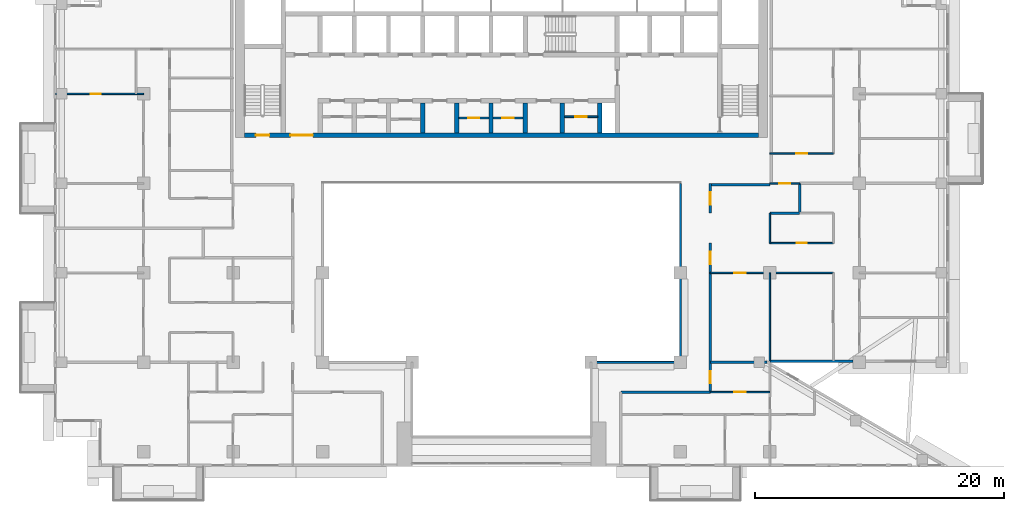
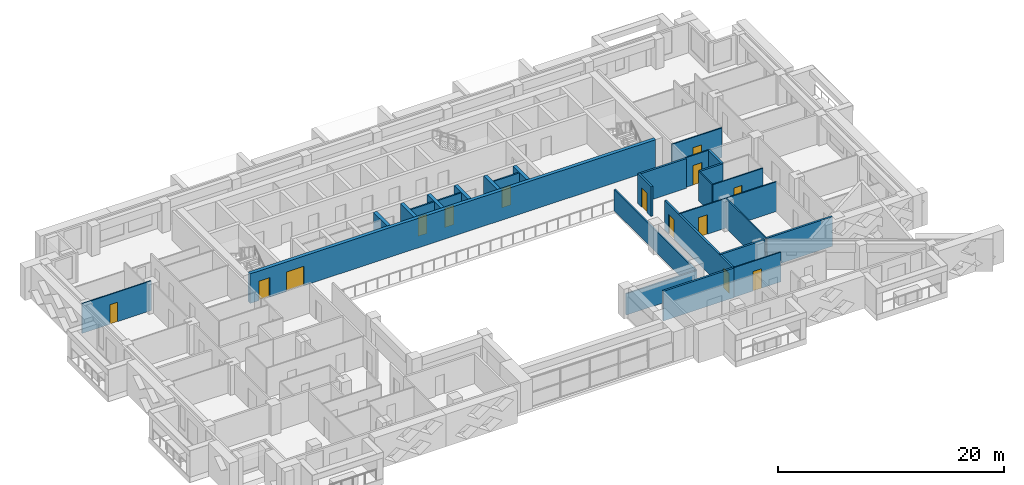
# One storey, part 9 of 20: 28 walls, 14 doors, 14 openings.
"""IFC4 building model written with IfcOpenShell, lengths in metres."""

from ifc_helpers import new_model, si_unit, direction, frame, frame_2d, origin, place, context, subcontext, project, spatial, rectangle, extrude, material, layer, layer_set, type_object, element, fill, save


model = new_model("IFC4")

# Units and contexts
model_context = context("Model", 3, precision=1e-05, world=origin(), true_north=direction((0.0, 1.0)))
body_context = subcontext(model_context, "Body", "Model", "MODEL_VIEW")
ifc_project = project(units=[si_unit("LENGTHUNIT", "METRE"), si_unit("AREAUNIT", "SQUARE_METRE"), si_unit("VOLUMEUNIT", "CUBIC_METRE"), si_unit("PLANEANGLEUNIT", "RADIAN"), si_unit("MASSUNIT", "GRAM", prefix="KILO")], contexts=[model_context])

# Site, building, storey
site_placement = place(None, origin())
site = spatial("IfcSite", under=ifc_project, at=site_placement, CompositionType="ELEMENT")
building_placement = place(site_placement, origin())
building = spatial("IfcBuilding", under=site, at=building_placement, Name="Saffron Iwan Residences", CompositionType="ELEMENT")
storey_placement = place(building_placement, frame((0.0, 0.0, 157.0)))
storey = spatial("IfcBuildingStorey", under=building, at=storey_placement, Name="L41", CompositionType="ELEMENT", Elevation=157.0)

# Walls
ifc_material_1 = material(Name="Fire-rated glazing", Category="glass")
ifc_layer_1 = layer(ifc_material_1, 0.14990234375)
ifc_layer_set_1 = layer_set([ifc_layer_1], Name="Fire-rated glazing")
wall_type_1 = type_object("IfcWallType", Name="Atrium glazed screen 150", PredefinedType="SOLIDWALL", material=ifc_layer_set_1)
wall_1_placement = place(storey_placement, frame((57.60009765625, 48.0, 0.0), z_axis=(0.0, 0.0, 1.0), x_axis=(1.0, 0.0, 0.0)))
element("IfcWall", 1, at=wall_1_placement, inside=storey, type_object=wall_type_1, Name="W-L41-SCREEN-h48-57.6", PredefinedType="SOLIDWALL", context=body_context, shape_type="SweptSolid", body=[
    extrude(rectangle(XDim=7.199951171875, YDim=0.14990234375, at=frame_2d((3.60009765625, 0.0))), origin(), (0.0, 0.0, 1.0), 2.300048828125),
])
wall_2_placement = place(storey_placement, frame((64.800048828125, 48.0, 0.0), z_axis=(0.0, 0.0, 1.0), x_axis=(0.0, 1.0, 0.0)))
element("IfcWall", 2, at=wall_2_placement, inside=storey, type_object=wall_type_1, Name="W-L41-SCREEN-v64.8-48", PredefinedType="SOLIDWALL", context=body_context, shape_type="SweptSolid", body=[
    extrude(rectangle(XDim=14.39990234375, YDim=0.14990234375, at=frame_2d((7.199951171875, 0.0))), origin(), (0.0, 0.0, 1.0), 2.300048828125),
])

# Wall, opening, door
ifc_material_2 = material(Name="Fire-rated plasterboard partition")
ifc_layer_2 = layer(ifc_material_2, 0.14990234375)
ifc_layer_set_2 = layer_set([ifc_layer_2], Name="Fire-rated plasterboard partition")
wall_type_2 = type_object("IfcWallType", Name="Core partition 150", PredefinedType="PARTITIONING", material=ifc_layer_set_2)
wall_3_placement = place(storey_placement, frame((46.97509765625, 67.66259765625, 0.0), z_axis=(0.0, 0.0, 1.0), x_axis=(1.0, 0.0, 0.0)))
wall_3 = element("IfcWall", 3, at=wall_3_placement, inside=storey, type_object=wall_type_2, Name="Core partition P04", PredefinedType="PARTITIONING", context=body_context, shape_type="SweptSolid", body=[
    extrude(rectangle(XDim=2.39990234375, YDim=0.14990234375, at=frame_2d((1.199951171875, 0.0))), origin(), (0.0, 0.0, 1.0), 3.199951171875),
])
opening_1_placement = place(wall_3_placement, frame((0.75, 0.0, 0.0)))
opening_1 = element("IfcOpeningElement", 4, at=opening_1_placement, cuts=wall_3, Name="Opening SB", PredefinedType="OPENING", context=body_context, shape_type="SweptSolid", body=[
    extrude(rectangle(XDim=0.89990234375, YDim=2.10009765625, at=frame_2d((0.449951171875, 1.050048828125))), frame((0.0, 0.0849609375, 0.0), z_axis=(0.0, -1.0, 0.0), x_axis=(1.0, 0.0, 0.0)), (0.0, 0.0, 1.0), 0.169921875),
])
ifc_material_3 = material(Name="Steel fire door", Category="steel")
door_type_1 = type_object("IfcDoorType", Name="Store door 900", OperationType="NOTDEFINED", PredefinedType="DOOR", material=ifc_material_3)
door_1_placement = place(opening_1_placement, origin())
door_1 = element("IfcDoor", 5, at=door_1_placement, inside=storey, type_object=door_type_1, Name="Door Spares store", OperationType="SINGLE_SWING_RIGHT", OverallHeight=2.10009765625, OverallWidth=0.89990234375, PredefinedType="DOOR", context=body_context, shape_type="SweptSolid", body=[
    extrude(rectangle(XDim=0.89990234375, YDim=2.10009765625, at=frame_2d((0.449951171875, 1.050048828125))), frame((0.0, 0.02490234375, 0.0), z_axis=(0.0, -1.0, 0.0), x_axis=(1.0, 0.0, 0.0)), (0.0, 0.0, 1.0), 0.050048828125),
])
fill(opening_1, door_1)

wall_4_placement = place(storey_placement, frame((49.72509765625, 67.66259765625, 0.0), z_axis=(0.0, 0.0, 1.0), x_axis=(1.0, 0.0, 0.0)))
wall_4 = element("IfcWall", 6, at=wall_4_placement, inside=storey, type_object=wall_type_2, Name="Core partition P05", PredefinedType="PARTITIONING", context=body_context, shape_type="SweptSolid", body=[
    extrude(rectangle(XDim=2.39990234375, YDim=0.14990234375, at=frame_2d((1.199951171875, 0.0))), origin(), (0.0, 0.0, 1.0), 3.199951171875),
])
opening_2_placement = place(wall_4_placement, frame((0.75, 0.0, 0.0)))
opening_2 = element("IfcOpeningElement", 7, at=opening_2_placement, cuts=wall_4, Name="Opening SB", PredefinedType="OPENING", context=body_context, shape_type="SweptSolid", body=[
    extrude(rectangle(XDim=0.89990234375, YDim=2.10009765625, at=frame_2d((0.449951171875, 1.050048828125))), frame((0.0, 0.0849609375, 0.0), z_axis=(0.0, -1.0, 0.0), x_axis=(1.0, 0.0, 0.0)), (0.0, 0.0, 1.0), 0.169921875),
])
door_2_placement = place(opening_2_placement, origin())
door_2 = element("IfcDoor", 8, at=door_2_placement, inside=storey, type_object=door_type_1, Name="Door Battery room", OperationType="SINGLE_SWING_LEFT", OverallHeight=2.10009765625, OverallWidth=0.89990234375, PredefinedType="DOOR", context=body_context, shape_type="SweptSolid", body=[
    extrude(rectangle(XDim=0.89990234375, YDim=2.10009765625, at=frame_2d((0.449951171875, 1.050048828125))), frame((0.0, 0.02490234375, 0.0), z_axis=(0.0, -1.0, 0.0), x_axis=(1.0, 0.0, 0.0)), (0.0, 0.0, 1.0), 0.050048828125),
])
fill(opening_2, door_2)

wall_5_placement = place(storey_placement, frame((55.47509765625, 67.759521484375, 0.0), z_axis=(0.0, 0.0, 1.0), x_axis=(1.0, 0.0, 0.0)))
wall_5 = element("IfcWall", 9, at=wall_5_placement, inside=storey, type_object=wall_type_2, Name="Core partition P06", PredefinedType="PARTITIONING", context=body_context, shape_type="SweptSolid", body=[
    extrude(rectangle(XDim=2.64990234375, YDim=0.14990234375, at=frame_2d((1.324951171875, 0.0))), origin(), (0.0, 0.0, 1.0), 3.199951171875),
])
opening_3_placement = place(wall_5_placement, frame((0.875, 0.0, 0.0)))
opening_3 = element("IfcOpeningElement", 10, at=opening_3_placement, cuts=wall_5, Name="Opening SB", PredefinedType="OPENING", context=body_context, shape_type="SweptSolid", body=[
    extrude(rectangle(XDim=0.89990234375, YDim=2.10009765625, at=frame_2d((0.449951171875, 1.050048828125))), frame((0.0, 0.0849609375, 0.0), z_axis=(0.0, -1.0, 0.0), x_axis=(1.0, 0.0, 0.0)), (0.0, 0.0, 1.0), 0.169921875),
])
door_3_placement = place(opening_3_placement, origin())
door_3 = element("IfcDoor", 11, at=door_3_placement, inside=storey, type_object=door_type_1, Name="Door Equipment store", OperationType="SINGLE_SWING_LEFT", OverallHeight=2.10009765625, OverallWidth=0.89990234375, PredefinedType="DOOR", context=body_context, shape_type="SweptSolid", body=[
    extrude(rectangle(XDim=0.89990234375, YDim=2.10009765625, at=frame_2d((0.449951171875, 1.050048828125))), frame((0.0, 0.02490234375, 0.0), z_axis=(0.0, -1.0, 0.0), x_axis=(1.0, 0.0, 0.0)), (0.0, 0.0, 1.0), 0.050048828125),
])
fill(opening_3, door_3)

# Walls
ifc_material_4 = material(Name="Concrete C40/50", Category="concrete")
ifc_layer_3 = layer(ifc_material_4, 0.199951171875)
ifc_layer_set_3 = layer_set([ifc_layer_3], Name="Concrete C40/50")
wall_type_3 = type_object("IfcWallType", Name="EXTERNAL WALL 200", PredefinedType="SOLIDWALL", material=ifc_layer_set_3)
wall_6_placement = place(storey_placement, frame((71.989990234375, 48.10009765625, 0.0), z_axis=(0.0, 0.0, 1.0), x_axis=(1.0, 0.0, 0.0)))
element("IfcWall", 12, at=wall_6_placement, inside=storey, type_object=wall_type_3, Name="External wall L41 F1.0", PredefinedType="SOLIDWALL", context=body_context, shape_type="SweptSolid", body=[
    extrude(rectangle(XDim=6.7099609375, YDim=0.199951171875, at=frame_2d((3.35498046875, 0.0))), origin(), (0.0, 0.0, 1.0), 3.199951171875),
])
ifc_material_5 = material(Name="Fire-rated gypsum board wall")
ifc_layer_4 = layer(ifc_material_5, 0.199951171875)
ifc_layer_set_4 = layer_set([ifc_layer_4], Name="Fire-rated gypsum board wall")
wall_type_4 = type_object("IfcWallType", Name="Flat demising wall 200", PredefinedType="SOLIDWALL", material=ifc_layer_set_4)
wall_7_placement = place(storey_placement, frame((67.199951171875, 48.0, 0.0), z_axis=(0.0, 0.0, 1.0), x_axis=(1.0, 0.0, 0.0)))
element("IfcWall", 13, at=wall_7_placement, inside=storey, type_object=wall_type_4, Name="W-L41-DEMISE-h48-67.2", PredefinedType="SOLIDWALL", context=body_context, shape_type="SweptSolid", body=[
    extrude(rectangle(XDim=4.552001953125, YDim=0.199951171875, at=frame_2d((2.27587890625, 0.0))), origin(), (0.0, 0.0, 1.0), 3.199951171875),
])
for number, where, z_axis, x_axis, name in (
    (14, (72.0, 60.0, 0.0), (0.0, 0.0, 1.0), (1.0, 0.0, 0.0), "W-L41-DEMISE-h60-72"),
    (15, (74.39990234375, 60.0, 0.0), (0.0, 0.0, 1.0), (0.0, 1.0, 0.0), "W-L41-DEMISE-v74.4-60"),
):
    element("IfcWall", number, at=place(storey_placement, frame(where, z_axis=z_axis, x_axis=x_axis)), inside=storey, type_object=wall_type_4, Name=name, PredefinedType="SOLIDWALL", context=body_context, shape_type="SweptSolid", body=[
        extrude(rectangle(XDim=2.39990234375, YDim=0.199951171875, at=frame_2d((1.199951171875, 0.0))), origin(), (0.0, 0.0, 1.0), 3.199951171875),
    ])

# Wall, opening, door
ifc_material_6 = material(Name="Gypsum board partition")
ifc_layer_5 = layer(ifc_material_6, 0.1201171875)
ifc_layer_set_5 = layer_set([ifc_layer_5], Name="Gypsum board partition")
wall_type_5 = type_object("IfcWallType", Name="Flat partition 120", PredefinedType="PARTITIONING", material=ifc_layer_set_5)
wall_8_placement = place(storey_placement, frame((67.199951171875, 45.60009765625, 0.0), z_axis=(0.0, 0.0, 1.0), x_axis=(1.0, 0.0, 0.0)))
wall_8 = element("IfcWall", 16, at=wall_8_placement, inside=storey, type_object=wall_type_5, Name="W-L41-PART-h45.6-67.2", PredefinedType="PARTITIONING", context=body_context, shape_type="SweptSolid", body=[
    extrude(rectangle(XDim=4.800048828125, YDim=0.1201171875, at=frame_2d((2.39990234375, 0.0))), origin(), (0.0, 0.0, 1.0), 3.199951171875),
])
opening_4_placement = place(wall_8_placement, frame((1.949951171875, 0.0, 0.0)))
opening_4 = element("IfcOpeningElement", 17, at=opening_4_placement, cuts=wall_8, Name="Opening FD2", PredefinedType="OPENING", context=body_context, shape_type="SweptSolid", body=[
    extrude(rectangle(XDim=0.89990234375, YDim=2.10009765625, at=frame_2d((0.449951171875, 1.050048828125))), frame((0.0, 0.070068359375, 0.0), z_axis=(0.0, -1.0, 0.0), x_axis=(1.0, 0.0, 0.0)), (0.0, 0.0, 1.0), 0.14013671875),
])
ifc_material_7 = material(Name="Timber door", Category="wood")
door_type_2 = type_object("IfcDoorType", Name="Flat door 900", OperationType="NOTDEFINED", PredefinedType="DOOR", material=ifc_material_7)
door_4_placement = place(opening_4_placement, origin())
door_4 = element("IfcDoor", 18, at=door_4_placement, inside=storey, type_object=door_type_2, Name="Door L41-040", OperationType="SINGLE_SWING_LEFT", OverallHeight=2.10009765625, OverallWidth=0.89990234375, PredefinedType="DOOR", context=body_context, shape_type="SweptSolid", body=[
    extrude(rectangle(XDim=0.89990234375, YDim=2.10009765625, at=frame_2d((0.449951171875, 1.050048828125))), frame((0.0, 0.02490234375, 0.0), z_axis=(0.0, -1.0, 0.0), x_axis=(1.0, 0.0, 0.0)), (0.0, 0.0, 1.0), 0.050048828125),
])
fill(opening_4, door_4)

wall_9_placement = place(storey_placement, frame((67.199951171875, 55.199951171875, 0.0), z_axis=(0.0, 0.0, 1.0), x_axis=(1.0, 0.0, 0.0)))
wall_9 = element("IfcWall", 19, at=wall_9_placement, inside=storey, type_object=wall_type_5, Name="W-L41-PART-h55.2-67.2", PredefinedType="PARTITIONING", context=body_context, shape_type="SweptSolid", body=[
    extrude(rectangle(XDim=9.900146484375, YDim=0.1201171875, at=frame_2d((4.9501953125, 0.0))), origin(), (0.0, 0.0, 1.0), 3.199951171875),
])
opening_5_placement = place(wall_9_placement, frame((1.949951171875, 0.0, 0.0)))
opening_5 = element("IfcOpeningElement", 20, at=opening_5_placement, cuts=wall_9, Name="Opening FD2", PredefinedType="OPENING", context=body_context, shape_type="SweptSolid", body=[
    extrude(rectangle(XDim=0.89990234375, YDim=2.10009765625, at=frame_2d((0.449951171875, 1.050048828125))), frame((0.0, 0.070068359375, 0.0), z_axis=(0.0, -1.0, 0.0), x_axis=(1.0, 0.0, 0.0)), (0.0, 0.0, 1.0), 0.14013671875),
])
door_5_placement = place(opening_5_placement, origin())
door_5 = element("IfcDoor", 21, at=door_5_placement, inside=storey, type_object=door_type_2, Name="Door L41-020", OperationType="SINGLE_SWING_RIGHT", OverallHeight=2.10009765625, OverallWidth=0.89990234375, PredefinedType="DOOR", context=body_context, shape_type="SweptSolid", body=[
    extrude(rectangle(XDim=0.89990234375, YDim=2.10009765625, at=frame_2d((0.449951171875, 1.050048828125))), frame((0.0, 0.02490234375, 0.0), z_axis=(0.0, -1.0, 0.0), x_axis=(1.0, 0.0, 0.0)), (0.0, 0.0, 1.0), 0.050048828125),
])
fill(opening_5, door_5)

wall_10_placement = place(storey_placement, frame((72.0, 57.60009765625, 0.0), z_axis=(0.0, 0.0, 1.0), x_axis=(1.0, 0.0, 0.0)))
wall_10 = element("IfcWall", 22, at=wall_10_placement, inside=storey, type_object=wall_type_5, Name="W-L41-PART-h57.6-72", PredefinedType="PARTITIONING", context=body_context, shape_type="SweptSolid", body=[
    extrude(rectangle(XDim=5.10009765625, YDim=0.1201171875, at=frame_2d((2.550048828125, 0.0))), origin(), (0.0, 0.0, 1.0), 3.199951171875),
])
opening_6_placement = place(wall_10_placement, frame((2.14990234375, 0.0, 0.0)))
opening_6 = element("IfcOpeningElement", 23, at=opening_6_placement, cuts=wall_10, Name="Opening FD3", PredefinedType="OPENING", context=body_context, shape_type="SweptSolid", body=[
    extrude(rectangle(XDim=0.800048828125, YDim=2.10009765625, at=frame_2d((0.39990234375, 1.050048828125))), frame((0.0, 0.070068359375, 0.0), z_axis=(0.0, -1.0, 0.0), x_axis=(1.0, 0.0, 0.0)), (0.0, 0.0, 1.0), 0.14013671875),
])
door_type_3 = type_object("IfcDoorType", Name="Bathroom door 800", OperationType="NOTDEFINED", PredefinedType="DOOR", material=ifc_material_7)
door_6_placement = place(opening_6_placement, origin())
door_6 = element("IfcDoor", 24, at=door_6_placement, inside=storey, type_object=door_type_3, Name="Door L41-019", OperationType="SINGLE_SWING_LEFT", OverallHeight=2.10009765625, OverallWidth=0.800048828125, PredefinedType="DOOR", context=body_context, shape_type="SweptSolid", body=[
    extrude(rectangle(XDim=0.800048828125, YDim=2.10009765625, at=frame_2d((0.39990234375, 1.050048828125))), frame((0.0, 0.02490234375, 0.0), z_axis=(0.0, -1.0, 0.0), x_axis=(1.0, 0.0, 0.0)), (0.0, 0.0, 1.0), 0.050048828125),
])
fill(opening_6, door_6)

wall_11_placement = place(storey_placement, frame((72.0, 62.39990234375, 0.0), z_axis=(0.0, 0.0, 1.0), x_axis=(1.0, 0.0, 0.0)))
wall_11 = element("IfcWall", 25, at=wall_11_placement, inside=storey, type_object=wall_type_5, Name="W-L41-PART-h62.4-72", PredefinedType="PARTITIONING", context=body_context, shape_type="SweptSolid", body=[
    extrude(rectangle(XDim=2.39990234375, YDim=0.1201171875, at=frame_2d((1.199951171875, 0.0))), origin(), (0.0, 0.0, 1.0), 3.199951171875),
])
opening_7_placement = place(wall_11_placement, frame((0.75, 0.0, 0.0)))
opening_7 = element("IfcOpeningElement", 26, at=opening_7_placement, cuts=wall_11, Name="Opening FD2", PredefinedType="OPENING", context=body_context, shape_type="SweptSolid", body=[
    extrude(rectangle(XDim=0.89990234375, YDim=2.10009765625, at=frame_2d((0.449951171875, 1.050048828125))), frame((0.0, 0.070068359375, 0.0), z_axis=(0.0, -1.0, 0.0), x_axis=(1.0, 0.0, 0.0)), (0.0, 0.0, 1.0), 0.14013671875),
])
door_7_placement = place(opening_7_placement, origin())
door_7 = element("IfcDoor", 27, at=door_7_placement, inside=storey, type_object=door_type_2, Name="Door L41-031", OperationType="SINGLE_SWING_LEFT", OverallHeight=2.10009765625, OverallWidth=0.89990234375, PredefinedType="DOOR", context=body_context, shape_type="SweptSolid", body=[
    extrude(rectangle(XDim=0.89990234375, YDim=2.10009765625, at=frame_2d((0.449951171875, 1.050048828125))), frame((0.0, 0.02490234375, 0.0), z_axis=(0.0, -1.0, 0.0), x_axis=(1.0, 0.0, 0.0)), (0.0, 0.0, 1.0), 0.050048828125),
])
fill(opening_7, door_7)

wall_12_placement = place(storey_placement, frame((72.0, 64.800048828125, 0.0), z_axis=(0.0, 0.0, 1.0), x_axis=(1.0, 0.0, 0.0)))
wall_12 = element("IfcWall", 28, at=wall_12_placement, inside=storey, type_object=wall_type_5, Name="W-L41-PART-h64.8-72", PredefinedType="PARTITIONING", context=body_context, shape_type="SweptSolid", body=[
    extrude(rectangle(XDim=5.10009765625, YDim=0.1201171875, at=frame_2d((2.550048828125, 0.0))), origin(), (0.0, 0.0, 1.0), 3.199951171875),
])
opening_8_placement = place(wall_12_placement, frame((2.10009765625, 0.0, 0.0)))
opening_8 = element("IfcOpeningElement", 29, at=opening_8_placement, cuts=wall_12, Name="Opening FD2", PredefinedType="OPENING", context=body_context, shape_type="SweptSolid", body=[
    extrude(rectangle(XDim=0.89990234375, YDim=2.10009765625, at=frame_2d((0.449951171875, 1.050048828125))), frame((0.0, 0.070068359375, 0.0), z_axis=(0.0, -1.0, 0.0), x_axis=(1.0, 0.0, 0.0)), (0.0, 0.0, 1.0), 0.14013671875),
])
door_8_placement = place(opening_8_placement, origin())
door_8 = element("IfcDoor", 30, at=door_8_placement, inside=storey, type_object=door_type_2, Name="Door L41-037", OperationType="SINGLE_SWING_LEFT", OverallHeight=2.10009765625, OverallWidth=0.89990234375, PredefinedType="DOOR", context=body_context, shape_type="SweptSolid", body=[
    extrude(rectangle(XDim=0.89990234375, YDim=2.10009765625, at=frame_2d((0.449951171875, 1.050048828125))), frame((0.0, 0.02490234375, 0.0), z_axis=(0.0, -1.0, 0.0), x_axis=(1.0, 0.0, 0.0)), (0.0, 0.0, 1.0), 0.050048828125),
])
fill(opening_8, door_8)

wall_13_placement = place(storey_placement, frame((14.52490234375, 69.60009765625, 0.0), z_axis=(0.0, 0.0, 1.0), x_axis=(1.0, 0.0, 0.0)))
wall_13 = element("IfcWall", 31, at=wall_13_placement, inside=storey, type_object=wall_type_5, Name="W-L41-PART-h69.6-14.525", PredefinedType="PARTITIONING", context=body_context, shape_type="SweptSolid", body=[
    extrude(rectangle(XDim=7.0751953125, YDim=0.1201171875, at=frame_2d((3.53759765625, 0.0))), origin(), (0.0, 0.0, 1.0), 3.199951171875),
])
opening_9_placement = place(wall_13_placement, frame((2.83740234375, 0.0, 0.0)))
opening_9 = element("IfcOpeningElement", 32, at=opening_9_placement, cuts=wall_13, Name="Opening FD3", PredefinedType="OPENING", context=body_context, shape_type="SweptSolid", body=[
    extrude(rectangle(XDim=0.800048828125, YDim=2.10009765625, at=frame_2d((0.39990234375, 1.050048828125))), frame((0.0, 0.070068359375, 0.0), z_axis=(0.0, -1.0, 0.0), x_axis=(1.0, 0.0, 0.0)), (0.0, 0.0, 1.0), 0.14013671875),
])
door_9_placement = place(opening_9_placement, origin())
door_9 = element("IfcDoor", 33, at=door_9_placement, inside=storey, type_object=door_type_3, Name="Door L41-025", OperationType="SINGLE_SWING_LEFT", OverallHeight=2.10009765625, OverallWidth=0.800048828125, PredefinedType="DOOR", context=body_context, shape_type="SweptSolid", body=[
    extrude(rectangle(XDim=0.800048828125, YDim=2.10009765625, at=frame_2d((0.39990234375, 1.050048828125))), frame((0.0, 0.02490234375, 0.0), z_axis=(0.0, -1.0, 0.0), x_axis=(1.0, 0.0, 0.0)), (0.0, 0.0, 1.0), 0.050048828125),
])
fill(opening_9, door_9)

# Walls
wall_14_placement = place(storey_placement, frame((72.0, 48.125, 0.0), z_axis=(0.0, 0.0, 1.0), x_axis=(0.0, 1.0, 0.0)))
element("IfcWall", 34, at=wall_14_placement, inside=storey, type_object=wall_type_5, Name="W-L41-PART-v72-48.125", PredefinedType="PARTITIONING", context=body_context, shape_type="SweptSolid", body=[
    extrude(rectangle(XDim=7.074951171875, YDim=0.1201171875, at=frame_2d((3.53759765625, 0.0))), origin(), (0.0, 0.0, 1.0), 3.199951171875),
])
wall_15_placement = place(storey_placement, frame((72.0, 57.60009765625, 0.0), z_axis=(0.0, 0.0, 1.0), x_axis=(0.0, 1.0, 0.0)))
element("IfcWall", 35, at=wall_15_placement, inside=storey, type_object=wall_type_5, Name="W-L41-PART-v72-57.6", PredefinedType="PARTITIONING", context=body_context, shape_type="SweptSolid", body=[
    extrude(rectangle(XDim=2.39990234375, YDim=0.1201171875, at=frame_2d((1.199951171875, 0.0))), origin(), (0.0, 0.0, 1.0), 3.199951171875),
])
ifc_layer_6 = layer(ifc_material_5, 0.199951171875)
ifc_layer_set_6 = layer_set([ifc_layer_6], Name="Fire-rated gypsum board wall")
wall_type_6 = type_object("IfcWallType", Name="Gallery wall 200", PredefinedType="SOLIDWALL", material=ifc_layer_set_6)
wall_16_placement = place(storey_placement, frame((60.0, 45.60009765625, 0.0), z_axis=(0.0, 0.0, 1.0), x_axis=(1.0, 0.0, 0.0)))
element("IfcWall", 36, at=wall_16_placement, inside=storey, type_object=wall_type_6, Name="W-L41-CORR-h45.6-60", PredefinedType="SOLIDWALL", context=body_context, shape_type="SweptSolid", body=[
    extrude(rectangle(XDim=7.199951171875, YDim=0.199951171875, at=frame_2d((3.60009765625, 0.0))), origin(), (0.0, 0.0, 1.0), 3.199951171875),
])
wall_17_placement = place(storey_placement, frame((67.199951171875, 62.300048828125, 0.0), z_axis=(0.0, 0.0, 1.0), x_axis=(1.0, 0.0, 0.0)))
element("IfcWall", 37, at=wall_17_placement, inside=storey, type_object=wall_type_6, Name="W-L41-CORR-h62.4-67.2", PredefinedType="SOLIDWALL", context=body_context, shape_type="SweptSolid", body=[
    extrude(rectangle(XDim=4.800048828125, YDim=0.199951171875, at=frame_2d((2.39990234375, 0.0))), origin(), (0.0, 0.0, 1.0), 3.199951171875),
])

# Wall, openings, doors
wall_18_placement = place(storey_placement, frame((67.199951171875, 45.60009765625, 0.0), z_axis=(0.0, 0.0, 1.0), x_axis=(0.0, 1.0, 0.0)))
wall_18 = element("IfcWall", 38, at=wall_18_placement, inside=storey, type_object=wall_type_6, Name="W-L41-CORR-v67.2-45.6", PredefinedType="SOLIDWALL", context=body_context, shape_type="SweptSolid", body=[
    extrude(rectangle(XDim=12.0, YDim=0.199951171875, at=frame_2d((6.0, 0.0))), origin(), (0.0, 0.0, 1.0), 3.199951171875),
])
opening_10_placement = place(wall_18_placement, frame((10.300048828125, 0.0, 0.0)))
opening_10 = element("IfcOpeningElement", 39, at=opening_10_placement, cuts=wall_18, Name="Opening FD1", PredefinedType="OPENING", context=body_context, shape_type="SweptSolid", body=[
    extrude(rectangle(XDim=1.0, YDim=2.10009765625, at=frame_2d((0.5, 1.050048828125))), frame((0.0, 0.10986328125, 0.0), z_axis=(0.0, -1.0, 0.0), x_axis=(1.0, 0.0, 0.0)), (0.0, 0.0, 1.0), 0.219970703125),
])
opening_11_placement = place(wall_18_placement, frame((0.699951171875, 0.0, 0.0)))
opening_11 = element("IfcOpeningElement", 40, at=opening_11_placement, cuts=wall_18, Name="Opening FD5", PredefinedType="OPENING", context=body_context, shape_type="SweptSolid", body=[
    extrude(rectangle(XDim=1.0, YDim=2.10009765625, at=frame_2d((0.5, 1.050048828125))), frame((0.0, 0.10986328125, 0.0), z_axis=(0.0, -1.0, 0.0), x_axis=(1.0, 0.0, 0.0)), (0.0, 0.0, 1.0), 0.219970703125),
])
ifc_material_8 = material(Name="Fire-rated timber door", Category="wood")
door_type_4 = type_object("IfcDoorType", Name="FD30S flat entrance door 1000", OperationType="NOTDEFINED", PredefinedType="DOOR", material=ifc_material_8)
door_10_placement = place(opening_10_placement, origin())
door_10 = element("IfcDoor", 41, at=door_10_placement, inside=storey, type_object=door_type_4, Name="Door L41-014", OperationType="SINGLE_SWING_RIGHT", OverallHeight=2.10009765625, OverallWidth=1.0, PredefinedType="DOOR", context=body_context, shape_type="SweptSolid", body=[
    extrude(rectangle(XDim=1.0, YDim=2.10009765625, at=frame_2d((0.5, 1.050048828125))), frame((0.0, 0.02490234375, 0.0), z_axis=(0.0, -1.0, 0.0), x_axis=(1.0, 0.0, 0.0)), (0.0, 0.0, 1.0), 0.050048828125),
])
fill(opening_10, door_10)
door_type_5 = type_object("IfcDoorType", Name="Lobby door 1000", OperationType="NOTDEFINED", PredefinedType="DOOR", material=ifc_material_8)
door_11_placement = place(opening_11_placement, origin())
door_11 = element("IfcDoor", 42, at=door_11_placement, inside=storey, type_object=door_type_5, Name="Door L41-041", OperationType="SINGLE_SWING_RIGHT", OverallHeight=2.10009765625, OverallWidth=1.0, PredefinedType="DOOR", context=body_context, shape_type="SweptSolid", body=[
    extrude(rectangle(XDim=1.0, YDim=2.10009765625, at=frame_2d((0.5, 1.050048828125))), frame((0.0, 0.02490234375, 0.0), z_axis=(0.0, -1.0, 0.0), x_axis=(1.0, 0.0, 0.0)), (0.0, 0.0, 1.0), 0.050048828125),
])
fill(opening_11, door_11)

# Wall, opening, door
wall_19_placement = place(storey_placement, frame((67.199951171875, 60.0, 0.0), z_axis=(0.0, 0.0, 1.0), x_axis=(0.0, 1.0, 0.0)))
wall_19 = element("IfcWall", 43, at=wall_19_placement, inside=storey, type_object=wall_type_6, Name="W-L41-CORR-v67.2-60", PredefinedType="SOLIDWALL", context=body_context, shape_type="SweptSolid", body=[
    extrude(rectangle(XDim=2.39990234375, YDim=0.199951171875, at=frame_2d((1.199951171875, 0.0))), origin(), (0.0, 0.0, 1.0), 3.199951171875),
])
opening_12_placement = place(wall_19_placement, frame((0.699951171875, 0.0, 0.0)))
opening_12 = element("IfcOpeningElement", 44, at=opening_12_placement, cuts=wall_19, Name="Opening FD5", PredefinedType="OPENING", context=body_context, shape_type="SweptSolid", body=[
    extrude(rectangle(XDim=1.0, YDim=2.10009765625, at=frame_2d((0.5, 1.050048828125))), frame((0.0, 0.10986328125, 0.0), z_axis=(0.0, -1.0, 0.0), x_axis=(1.0, 0.0, 0.0)), (0.0, 0.0, 1.0), 0.219970703125),
])
door_12_placement = place(opening_12_placement, origin())
door_12 = element("IfcDoor", 45, at=door_12_placement, inside=storey, type_object=door_type_5, Name="Door L41-032", OperationType="SINGLE_SWING_RIGHT", OverallHeight=2.10009765625, OverallWidth=1.0, PredefinedType="DOOR", context=body_context, shape_type="SweptSolid", body=[
    extrude(rectangle(XDim=1.0, YDim=2.10009765625, at=frame_2d((0.5, 1.050048828125))), frame((0.0, 0.02490234375, 0.0), z_axis=(0.0, -1.0, 0.0), x_axis=(1.0, 0.0, 0.0)), (0.0, 0.0, 1.0), 0.050048828125),
])
fill(opening_12, door_12)

# Wall, openings, doors
ifc_material_9 = material(Name="Concrete C50/60", Category="concrete")
ifc_layer_7 = layer(ifc_material_9, 0.35009765625)
ifc_layer_set_7 = layer_set([ifc_layer_7], Name="Concrete C50/60")
wall_type_7 = type_object("IfcWallType", Name="WALL CORE 350 C50/60 3200 HIGH", PredefinedType="SHEAR", material=ifc_layer_set_7)
wall_20_placement = place(storey_placement, frame((29.699951171875, 66.27490234375, 0.0), z_axis=(0.0, 0.0, 1.0), x_axis=(1.0, 0.0, 0.0)))
wall_20 = element("IfcWall", 46, at=wall_20_placement, inside=storey, type_object=wall_type_7, Name="Core wall", PredefinedType="SHEAR", context=body_context, shape_type="SweptSolid", body=[
    extrude(rectangle(XDim=41.400146484375, YDim=0.35009765625, at=frame_2d((20.7001953125, 0.0))), origin(), (0.0, 0.0, 1.0), 3.199951171875),
])
opening_13_placement = place(wall_20_placement, frame((0.925048828125, 0.0, 0.0)))
opening_13 = element("IfcOpeningElement", 47, at=opening_13_placement, cuts=wall_20, Name="Opening SD", PredefinedType="OPENING", context=body_context, shape_type="SweptSolid", body=[
    extrude(rectangle(XDim=1.10009765625, YDim=2.10009765625, at=frame_2d((0.550048828125, 1.050048828125))), frame((0.0, 0.18505859375, 0.0), z_axis=(0.0, -1.0, 0.0), x_axis=(1.0, 0.0, 0.0)), (0.0, 0.0, 1.0), 0.3701171875),
])
opening_14_placement = place(wall_20_placement, frame((3.71240234375, 0.0, 0.0)))
opening_14 = element("IfcOpeningElement", 48, at=opening_14_placement, cuts=wall_20, Name="Opening DD", PredefinedType="OPENING", context=body_context, shape_type="SweptSolid", body=[
    extrude(rectangle(XDim=1.800048828125, YDim=2.10009765625, at=frame_2d((0.89990234375, 1.050048828125))), frame((0.0, 0.18505859375, 0.0), z_axis=(0.0, -1.0, 0.0), x_axis=(1.0, 0.0, 0.0)), (0.0, 0.0, 1.0), 0.3701171875),
])
door_type_6 = type_object("IfcDoorType", Name="Lobby double door 1800", OperationType="DOUBLE_DOOR_SINGLE_SWING", PredefinedType="DOOR", material=ifc_material_3)
door_13_placement = place(opening_14_placement, origin())
door_13 = element("IfcDoor", 49, at=door_13_placement, inside=storey, type_object=door_type_6, Name="Lobby doors", OperationType="DOUBLE_DOOR_SINGLE_SWING", OverallHeight=2.10009765625, OverallWidth=1.800048828125, PredefinedType="DOOR", context=body_context, shape_type="SweptSolid", body=[
    extrude(rectangle(XDim=1.800048828125, YDim=2.10009765625, at=frame_2d((0.89990234375, 1.050048828125))), frame((0.0, 0.02490234375, 0.0), z_axis=(0.0, -1.0, 0.0), x_axis=(1.0, 0.0, 0.0)), (0.0, 0.0, 1.0), 0.050048828125),
])
fill(opening_14, door_13)
door_type_7 = type_object("IfcDoorType", Name="Stair door 1100", OperationType="NOTDEFINED", PredefinedType="DOOR", material=ifc_material_3)
door_14_placement = place(opening_13_placement, origin())
door_14 = element("IfcDoor", 50, at=door_14_placement, inside=storey, type_object=door_type_7, Name="Stair door ST-W", OperationType="SINGLE_SWING_LEFT", OverallHeight=2.10009765625, OverallWidth=1.10009765625, PredefinedType="DOOR", context=body_context, shape_type="SweptSolid", body=[
    extrude(rectangle(XDim=1.10009765625, YDim=2.10009765625, at=frame_2d((0.550048828125, 1.050048828125))), frame((0.0, 0.02490234375, 0.0), z_axis=(0.0, -1.0, 0.0), x_axis=(1.0, 0.0, 0.0)), (0.0, 0.0, 1.0), 0.050048828125),
])
fill(opening_13, door_14)

# Walls
for number, where, z_axis, x_axis, name in (
    (51, (44.050048828125, 66.449951171875, 0.0), (0.0, 0.0, 1.0), (0.0, 1.0, 0.0), "Core wall"),
    (52, (46.800048828125, 66.449951171875, 0.0), (0.0, 0.0, 1.0), (0.0, 1.0, 0.0), "Core wall"),
    (53, (49.550048828125, 66.449951171875, 0.0), (0.0, 0.0, 1.0), (0.0, 1.0, 0.0), "Core wall"),
    (54, (52.300048828125, 66.449951171875, 0.0), (0.0, 0.0, 1.0), (0.0, 1.0, 0.0), "Core wall"),
    (55, (55.300048828125, 66.449951171875, 0.0), (0.0, 0.0, 1.0), (0.0, 1.0, 0.0), "Core wall"),
    (56, (58.300048828125, 66.449951171875, 0.0), (0.0, 0.0, 1.0), (0.0, 1.0, 0.0), "Core wall"),
):
    element("IfcWall", number, at=place(storey_placement, frame(where, z_axis=z_axis, x_axis=x_axis)), inside=storey, type_object=wall_type_7, Name=name, PredefinedType="SHEAR", context=body_context, shape_type="SweptSolid", body=[
        extrude(rectangle(XDim=2.425048828125, YDim=0.35009765625, at=frame_2d((1.21240234375, 0.0))), origin(), (0.0, 0.0, 1.0), 3.199951171875),
    ])

save(model, "model.ifc")
